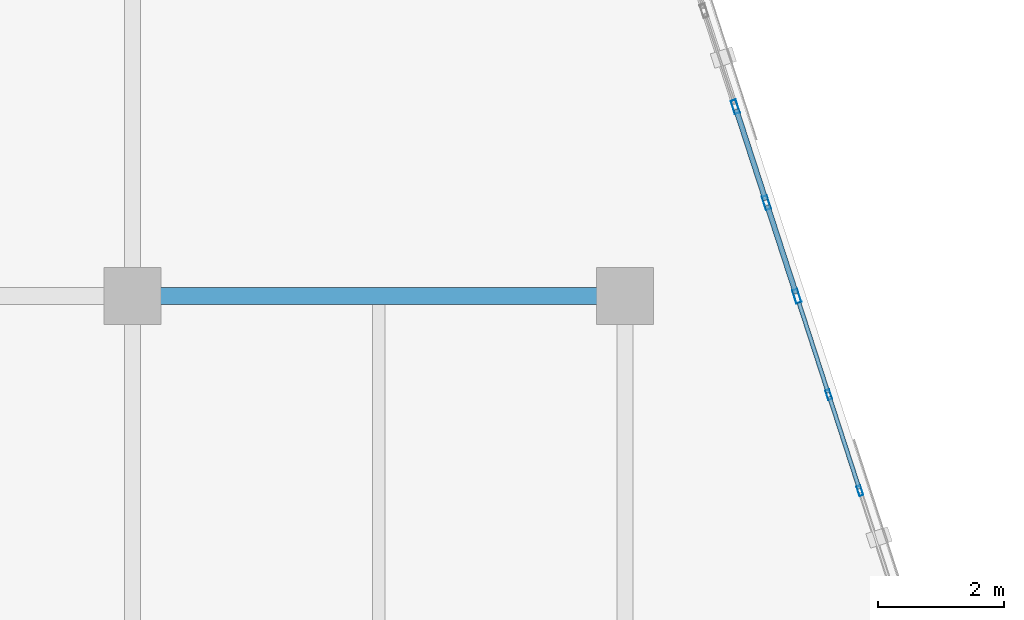
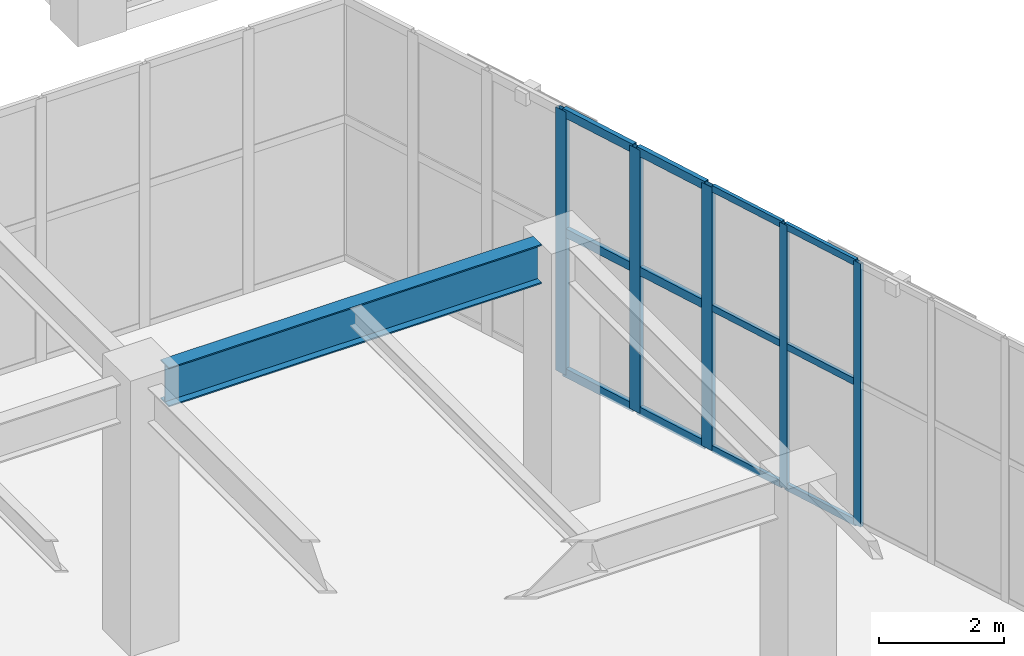
# One storey, part 39 of 139: 17 members, 1 beam, 2 elements without a shape of their own.
"""IFC4 building model written with IfcOpenShell, lengths in metres."""

from ifc_helpers import new_model, si_unit, direction, frame, origin, origin_2d, place, context, subcontext, project, spatial, hollow_rectangle, i_section, extrude, material, layer, layer_set, material_profile, profile_set, type_object, element, aggregate, save


model = new_model("IFC4")

# Units and contexts
model_context = context("Model", 3, precision=1e-05, world=origin(), true_north=direction((0.0, 1.0)))
body_context = subcontext(model_context, "Body", "Model", "MODEL_VIEW")
ifc_project = project(units=[si_unit("LENGTHUNIT", "METRE"), si_unit("AREAUNIT", "SQUARE_METRE"), si_unit("VOLUMEUNIT", "CUBIC_METRE"), si_unit("PLANEANGLEUNIT", "RADIAN"), si_unit("MASSUNIT", "GRAM", prefix="KILO")], contexts=[model_context])

# Site, building, storey
site_placement = place(None, origin())
site = spatial("IfcSite", under=ifc_project, at=site_placement, CompositionType="ELEMENT")
building_placement = place(site_placement, origin())
building = spatial("IfcBuilding", under=site, at=building_placement, Name="Xicomal Pleat Aquarium", CompositionType="ELEMENT")
storey_placement = place(building_placement, origin())
storey = spatial("IfcBuildingStorey", under=building, at=storey_placement, Name="L01", CompositionType="ELEMENT", Elevation=0.0)

# Beam
ifc_material_1 = material(Name="Structural steel A992 Gr 50", Category="steel")
ifc_material_profile_1 = material_profile(ifc_material_1, i_section(OverallWidth=0.26806640625, OverallDepth=0.77001953125, WebThickness=0.015625, FlangeThickness=0.025390625, at=origin_2d()), Name="IR 760x196")
ifc_profile_set_1 = profile_set([ifc_material_profile_1], Name="Structural steel A992 Gr 50")
beam_type = type_object("IfcBeamType", Name="BM-STL-IR760", PredefinedType="BEAM", material=ifc_profile_set_1)
beam_placement = place(storey_placement, frame((118.64501953125, 60.800048828125, 4.77490234375), z_axis=(1.0, 0.0, 0.0), x_axis=(0.0, 1.0, 0.0)))
element("IfcBeam", 1, at=beam_placement, inside=storey, type_object=beam_type, Name="L01 framing beam FGX-L01-15-16-J", PredefinedType="BEAM", context=body_context, shape_type="SweptSolid", body=[
    extrude(i_section(OverallWidth=0.26806640625, OverallDepth=0.77001953125, WebThickness=0.015625, FlangeThickness=0.025390625, at=origin_2d()), origin(), (0.0, 0.0, 1.0), 6.909912109375),
])

# Curtain wall, members
ifc_material_2 = material(Name="Bronze anodized aluminium 6063-T6", Category="aluminium")
ifc_layer_1 = layer(ifc_material_2, 0.159912109375)
ifc_layer_set_1 = layer_set([ifc_layer_1], Name="Bronze anodized aluminium 6063-T6")
curtain_wall_type_1 = type_object("IfcCurtainWallType", Name="CW-SYS-01", PredefinedType="NOTDEFINED", material=ifc_layer_set_1)
curtain_wall_1_placement = place(storey_placement, origin())
curtain_wall_1 = element("IfcCurtainWall", 2, at=curtain_wall_1_placement, inside=storey, type_object=curtain_wall_type_1, Name="L01 unitised curtain wall CW-L01-045", PredefinedType="NOTDEFINED")
ifc_material_3 = material(Name="Bronze anodized aluminium 6063-T6", Category="aluminium")
ifc_material_profile_2 = material_profile(ifc_material_3, hollow_rectangle(XDim=0.06494140625, YDim=0.159912109375, WallThickness=0.00390625, at=origin_2d()), Name="ALU MULL 65x160")
ifc_profile_set_2 = profile_set([ifc_material_profile_2], Name="Bronze anodized aluminium 6063-T6")
member_type_1 = type_object("IfcMemberType", Name="CWM-65x160", PredefinedType="MULLION", material=ifc_profile_set_2)
member_1_placement = place(storey_placement, frame((129.227294921875, 59.237060546875, 0.0), z_axis=(0.0, 0.0, 1.0), x_axis=(0.951181119368, 0.308633242147, 0.0)))
member_1 = element("IfcMember", 3, at=member_1_placement, type_object=member_type_1, Name="CW-01 mullion 2", PredefinedType="MULLION", context=body_context, shape_type="SweptSolid", body=[
    extrude(hollow_rectangle(XDim=0.06494140625, YDim=0.159912109375, WallThickness=0.00390625, at=origin_2d()), origin(), (0.0, 0.0, 1.0), 5.159912109375),
])
member_2_placement = place(storey_placement, frame((129.720458984375, 57.717041015625, 0.0), z_axis=(0.0, 0.0, 1.0), x_axis=(0.951181119368, 0.308633242147, 0.0)))
member_2 = element("IfcMember", 4, at=member_2_placement, type_object=member_type_1, Name="CW-01 mullion 3", PredefinedType="MULLION", context=body_context, shape_type="SweptSolid", body=[
    extrude(hollow_rectangle(XDim=0.06494140625, YDim=0.159912109375, WallThickness=0.00390625, at=origin_2d()), origin(), (0.0, 0.0, 1.0), 5.159912109375),
])

ifc_material_4 = material(Name="Bronze anodized aluminium 6063-T6", Category="aluminium")
ifc_layer_2 = layer(ifc_material_4, 0.159912109375)
ifc_layer_set_2 = layer_set([ifc_layer_2], Name="Bronze anodized aluminium 6063-T6")
curtain_wall_type_2 = type_object("IfcCurtainWallType", Name="CW-SYS-11", PredefinedType="NOTDEFINED", material=ifc_layer_set_2)
curtain_wall_2_placement = place(storey_placement, origin())
curtain_wall_2 = element("IfcCurtainWall", 5, at=curtain_wall_2_placement, inside=storey, type_object=curtain_wall_type_2, Name="L01 unitised curtain wall CW-L01-044", PredefinedType="NOTDEFINED")
ifc_material_5 = material(Name="Bronze anodized aluminium 6063-T6", Category="aluminium")
ifc_material_profile_3 = material_profile(ifc_material_5, hollow_rectangle(XDim=0.0849609375, YDim=0.219970703125, WallThickness=0.0048828125, at=origin_2d()), Name="ALU MULL 85x220")
ifc_profile_set_3 = profile_set([ifc_material_profile_3], Name="Bronze anodized aluminium 6063-T6")
member_type_2 = type_object("IfcMemberType", Name="CWM-85x220", PredefinedType="MULLION", material=ifc_profile_set_3)
member_3_placement = place(storey_placement, frame((127.747314453125, 63.797119140625, 0.0), z_axis=(0.0, 0.0, 1.0), x_axis=(0.951144372661, 0.308746469381, 0.0)))
member_3 = element("IfcMember", 6, at=member_3_placement, type_object=member_type_2, Name="CW-11 mullion 4", PredefinedType="MULLION", context=body_context, shape_type="SweptSolid", body=[
    extrude(hollow_rectangle(XDim=0.0849609375, YDim=0.219970703125, WallThickness=0.0048828125, at=origin_2d()), origin(), (0.0, 0.0, 1.0), 5.159912109375),
])
member_4_placement = place(storey_placement, frame((128.240478515625, 62.277099609375, 0.0), z_axis=(0.0, 0.0, 1.0), x_axis=(0.951144372661, 0.308746469381, 0.0)))
member_4 = element("IfcMember", 7, at=member_4_placement, type_object=member_type_2, Name="CW-11 mullion 5", PredefinedType="MULLION", context=body_context, shape_type="SweptSolid", body=[
    extrude(hollow_rectangle(XDim=0.0849609375, YDim=0.219970703125, WallThickness=0.0048828125, at=origin_2d()), origin(), (0.0, 0.0, 1.0), 5.159912109375),
])
member_5_placement = place(storey_placement, frame((128.720947265625, 60.79736328125, 0.0), z_axis=(0.0, 0.0, 1.0), x_axis=(0.951144372661, 0.308746469381, 0.0)))
member_5 = element("IfcMember", 8, at=member_5_placement, type_object=member_type_2, Name="CW-11 mullion 6", PredefinedType="MULLION", context=body_context, shape_type="SweptSolid", body=[
    extrude(hollow_rectangle(XDim=0.0849609375, YDim=0.219970703125, WallThickness=0.0048828125, at=origin_2d()), origin(), (0.0, 0.0, 1.0), 5.159912109375),
])

# Member
ifc_material_6 = material(Name="Bronze anodized aluminium 6063-T6", Category="aluminium")
ifc_material_profile_4 = material_profile(ifc_material_6, hollow_rectangle(XDim=0.06494140625, YDim=0.1298828125, WallThickness=0.00390625, at=origin_2d()), Name="ALU TRAN 65x130")
ifc_profile_set_4 = profile_set([ifc_material_profile_4], Name="Bronze anodized aluminium 6063-T6")
member_type_3 = type_object("IfcMemberType", Name="CWT-65x130", PredefinedType="USERDEFINED", material=ifc_profile_set_4)
member_6_placement = place(storey_placement, frame((128.754150390625, 60.6953125, 0.032470703125), z_axis=(0.308604153783, -0.951190557285, 0.0), x_axis=(0.951190557285, 0.308604153783, 0.0)))
member_6 = element("IfcMember", 9, at=member_6_placement, type_object=member_type_3, Name="CW-01 transom 1.1", ObjectType="TRANSOM", PredefinedType="USERDEFINED", context=body_context, shape_type="SweptSolid", body=[
    extrude(hollow_rectangle(XDim=0.06494140625, YDim=0.1298828125, WallThickness=0.00390625, at=origin_2d()), origin(), (0.0, 0.0, 1.0), 1.500732421875),
])

member_7_placement = place(storey_placement, frame((128.754150390625, 60.6953125, 2.785888671875), z_axis=(0.308604153783, -0.951190557285, 0.0), x_axis=(0.951190557285, 0.308604153783, 0.0)))
member_7 = element("IfcMember", 10, at=member_7_placement, type_object=member_type_3, Name="CW-01 transom 1.2", ObjectType="TRANSOM", PredefinedType="USERDEFINED", context=body_context, shape_type="SweptSolid", body=[
    extrude(hollow_rectangle(XDim=0.06494140625, YDim=0.1298828125, WallThickness=0.00390625, at=origin_2d()), origin(), (0.0, 0.0, 1.0), 1.500732421875),
])

member_8_placement = place(storey_placement, frame((128.754150390625, 60.6953125, 5.12744140625), z_axis=(0.308604153783, -0.951190557285, 0.0), x_axis=(0.951190557285, 0.308604153783, 0.0)))
member_8 = element("IfcMember", 11, at=member_8_placement, type_object=member_type_3, Name="CW-01 transom 1.3", ObjectType="TRANSOM", PredefinedType="USERDEFINED", context=body_context, shape_type="SweptSolid", body=[
    extrude(hollow_rectangle(XDim=0.06494140625, YDim=0.1298828125, WallThickness=0.00390625, at=origin_2d()), origin(), (0.0, 0.0, 1.0), 1.500732421875),
])

member_9_placement = place(storey_placement, frame((129.2373046875, 59.2060546875, 0.032470703125), z_axis=(0.30862152628, -0.951184920779, 0.0), x_axis=(0.951184920779, 0.30862152628, 0.0)))
member_9 = element("IfcMember", 12, at=member_9_placement, type_object=member_type_3, Name="CW-01 transom 2.1", ObjectType="TRANSOM", PredefinedType="USERDEFINED", context=body_context, shape_type="SweptSolid", body=[
    extrude(hollow_rectangle(XDim=0.06494140625, YDim=0.1298828125, WallThickness=0.00390625, at=origin_2d()), origin(), (0.0, 0.0, 1.0), 1.533203125),
])

member_10_placement = place(storey_placement, frame((129.2373046875, 59.2060546875, 2.785888671875), z_axis=(0.30862152628, -0.951184920779, 0.0), x_axis=(0.951184920779, 0.30862152628, 0.0)))
member_10 = element("IfcMember", 13, at=member_10_placement, type_object=member_type_3, Name="CW-01 transom 2.2", ObjectType="TRANSOM", PredefinedType="USERDEFINED", context=body_context, shape_type="SweptSolid", body=[
    extrude(hollow_rectangle(XDim=0.06494140625, YDim=0.1298828125, WallThickness=0.00390625, at=origin_2d()), origin(), (0.0, 0.0, 1.0), 1.533203125),
])

member_11_placement = place(storey_placement, frame((129.2373046875, 59.2060546875, 5.12744140625), z_axis=(0.30862152628, -0.951184920779, 0.0), x_axis=(0.951184920779, 0.30862152628, 0.0)))
member_11 = element("IfcMember", 14, at=member_11_placement, type_object=member_type_3, Name="CW-01 transom 2.3", ObjectType="TRANSOM", PredefinedType="USERDEFINED", context=body_context, shape_type="SweptSolid", body=[
    extrude(hollow_rectangle(XDim=0.06494140625, YDim=0.1298828125, WallThickness=0.00390625, at=origin_2d()), origin(), (0.0, 0.0, 1.0), 1.533203125),
])

aggregate(curtain_wall_1, [member_1, member_2, member_6, member_7, member_8, member_9, member_10, member_11])

ifc_material_7 = material(Name="Bronze anodized aluminium 6063-T6", Category="aluminium")
ifc_material_profile_5 = material_profile(ifc_material_7, hollow_rectangle(XDim=0.0849609375, YDim=0.169921875, WallThickness=0.0048828125, at=origin_2d()), Name="ALU TRAN 85x170")
ifc_profile_set_5 = profile_set([ifc_material_profile_5], Name="Bronze anodized aluminium 6063-T6")
member_type_4 = type_object("IfcMemberType", Name="CWT-85x170", PredefinedType="USERDEFINED", material=ifc_profile_set_5)
member_12_placement = place(storey_placement, frame((127.76025390625, 63.756591796875, 0.04248046875), z_axis=(0.30881244053, -0.95112295555, 0.0), x_axis=(0.95112295555, 0.30881244053, 0.0)))
member_12 = element("IfcMember", 15, at=member_12_placement, type_object=member_type_4, Name="CW-11 transom 4.1", ObjectType="TRANSOM", PredefinedType="USERDEFINED", context=body_context, shape_type="SweptSolid", body=[
    extrude(hollow_rectangle(XDim=0.0849609375, YDim=0.169921875, WallThickness=0.0048828125, at=origin_2d()), origin(), (0.0, 0.0, 1.0), 1.51318359375),
])

member_13_placement = place(storey_placement, frame((127.76025390625, 63.756591796875, 2.785888671875), z_axis=(0.30881244053, -0.95112295555, 0.0), x_axis=(0.95112295555, 0.30881244053, 0.0)))
member_13 = element("IfcMember", 16, at=member_13_placement, type_object=member_type_4, Name="CW-11 transom 4.2", ObjectType="TRANSOM", PredefinedType="USERDEFINED", context=body_context, shape_type="SweptSolid", body=[
    extrude(hollow_rectangle(XDim=0.0849609375, YDim=0.169921875, WallThickness=0.0048828125, at=origin_2d()), origin(), (0.0, 0.0, 1.0), 1.51318359375),
])

member_14_placement = place(storey_placement, frame((127.76025390625, 63.756591796875, 5.117431640625), z_axis=(0.30881244053, -0.95112295555, 0.0), x_axis=(0.95112295555, 0.30881244053, 0.0)))
member_14 = element("IfcMember", 17, at=member_14_placement, type_object=member_type_4, Name="CW-11 transom 4.3", ObjectType="TRANSOM", PredefinedType="USERDEFINED", context=body_context, shape_type="SweptSolid", body=[
    extrude(hollow_rectangle(XDim=0.0849609375, YDim=0.169921875, WallThickness=0.0048828125, at=origin_2d()), origin(), (0.0, 0.0, 1.0), 1.51318359375),
])

member_15_placement = place(storey_placement, frame((128.253662109375, 62.236572265625, 0.04248046875), z_axis=(0.308797001379, -0.951127968225, 0.0), x_axis=(0.951127968225, 0.308797001379, 0.0)))
member_15 = element("IfcMember", 18, at=member_15_placement, type_object=member_type_4, Name="CW-11 transom 5.1", ObjectType="TRANSOM", PredefinedType="USERDEFINED", context=body_context, shape_type="SweptSolid", body=[
    extrude(hollow_rectangle(XDim=0.0849609375, YDim=0.169921875, WallThickness=0.0048828125, at=origin_2d()), origin(), (0.0, 0.0, 1.0), 1.470458984375),
])

member_16_placement = place(storey_placement, frame((128.253662109375, 62.236572265625, 2.785888671875), z_axis=(0.308797001379, -0.951127968225, 0.0), x_axis=(0.951127968225, 0.308797001379, 0.0)))
member_16 = element("IfcMember", 19, at=member_16_placement, type_object=member_type_4, Name="CW-11 transom 5.2", ObjectType="TRANSOM", PredefinedType="USERDEFINED", context=body_context, shape_type="SweptSolid", body=[
    extrude(hollow_rectangle(XDim=0.0849609375, YDim=0.169921875, WallThickness=0.0048828125, at=origin_2d()), origin(), (0.0, 0.0, 1.0), 1.470458984375),
])

member_17_placement = place(storey_placement, frame((128.253662109375, 62.236572265625, 5.117431640625), z_axis=(0.308797001379, -0.951127968225, 0.0), x_axis=(0.951127968225, 0.308797001379, 0.0)))
member_17 = element("IfcMember", 20, at=member_17_placement, type_object=member_type_4, Name="CW-11 transom 5.3", ObjectType="TRANSOM", PredefinedType="USERDEFINED", context=body_context, shape_type="SweptSolid", body=[
    extrude(hollow_rectangle(XDim=0.0849609375, YDim=0.169921875, WallThickness=0.0048828125, at=origin_2d()), origin(), (0.0, 0.0, 1.0), 1.470458984375),
])

aggregate(curtain_wall_2, [member_3, member_4, member_5, member_12, member_13, member_14, member_15, member_16, member_17])

save(model, "model.ifc")
